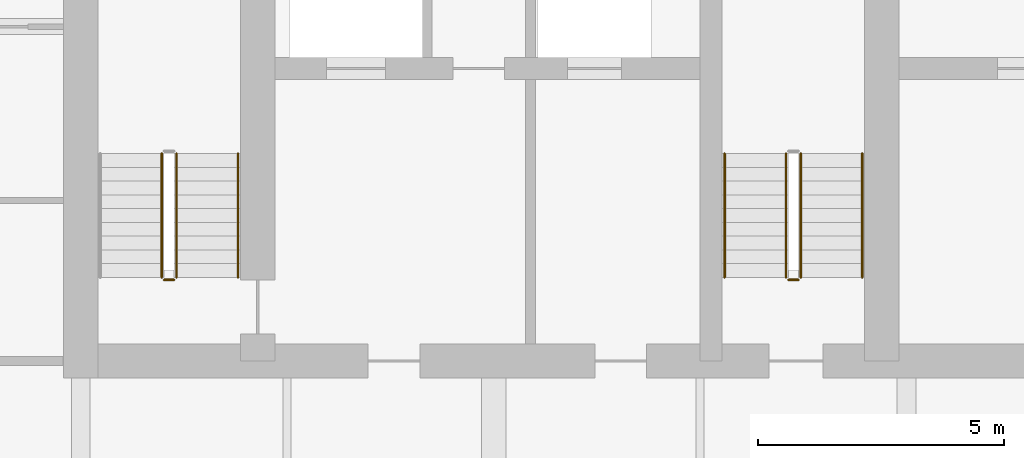
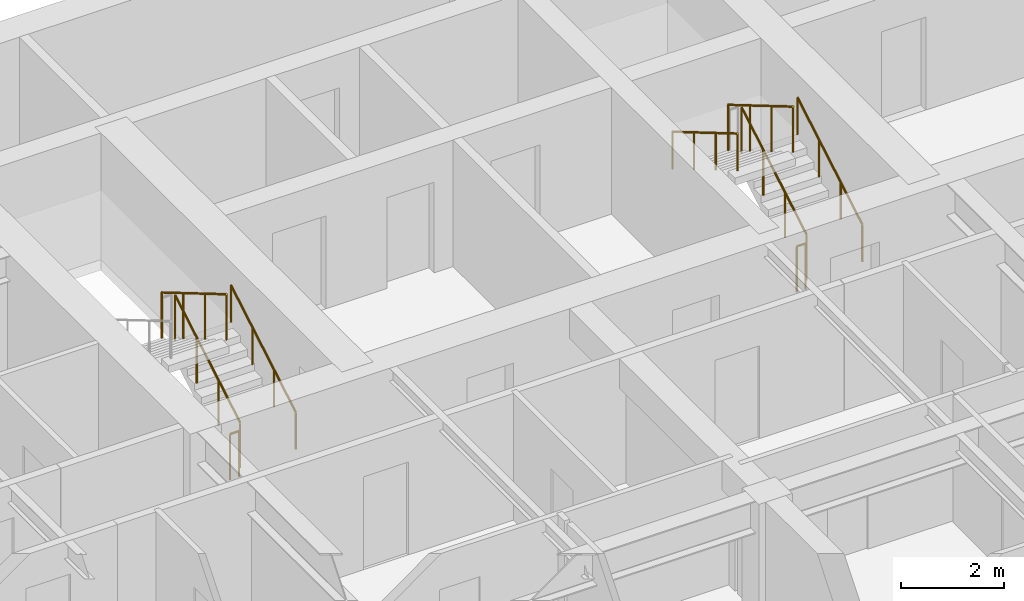
# One storey, part 13 of 16: 9 railings.
"""IFC4 building model written with IfcOpenShell, lengths in metres."""

import ifcopenshell
import ifcopenshell.guid

model = None  # the IFC model being written
_history = None  # IfcOwnerHistory: only IFC2X3 demands one
_inside = {}  # id of a spatial element -> (the spatial element, [elements in it])
_under = {}  # id of a project, library or spatial element -> (it, [spatial elements below it])
_declared = {}  # id of a project -> (the project, [libraries it declares])
_typed = {}  # id of a type object -> (the type object, [elements of that type])
_made_of = {}  # id of a material, layer set ... -> (it, [elements and type objects made of it])


def new_model(schema):
    """Start an empty IFC model of exactly this schema.

    Asked for "IFC4X3", IfcOpenShell would pick the latest addendum, in which some entities
    have other attributes; the version numbers below select the first issue.
    IFC2X3 requires an IfcOwnerHistory on every rooted entity: one is made here for all.
    """
    global model, _history
    if schema == "IFC4X3":
        model = ifcopenshell.file(schema_version=(4, 3, 0, 0))
    else:
        model = ifcopenshell.file(schema=schema)
    _inside.clear()
    _under.clear()
    _declared.clear()
    _typed.clear()
    _made_of.clear()
    _history = None
    if model.schema == "IFC2X3":
        org = make("IfcOrganization", Name="unknown")
        user = make(
            "IfcPersonAndOrganization",
            ThePerson=make("IfcPerson", FamilyName="unknown"),
            TheOrganization=org,
        )
        app = make(
            "IfcApplication",
            ApplicationDeveloper=org,
            Version="unknown",
            ApplicationFullName="unknown",
            ApplicationIdentifier="unknown",
        )
        _history = make(
            "IfcOwnerHistory",
            OwningUser=user,
            OwningApplication=app,
            ChangeAction="ADDED",
            CreationDate=0,
        )
    return model


def make(cls, **values):
    """One entity of the class cls with the attributes given. An attribute that is None is left unset."""
    return model.create_entity(
        cls, **{name: value for name, value in values.items() if value is not None}
    )


def rooted(cls, **values):
    """An entity with a GlobalId (a new one), such as an element, a storey or a relation."""
    return make(cls, GlobalId=ifcopenshell.guid.new(), OwnerHistory=_history, **values)


def si_unit(unit_type, name, prefix=None):
    """IfcSIUnit, for example si_unit("LENGTHUNIT", "METRE", prefix="MILLI")."""
    return make("IfcSIUnit", UnitType=unit_type, Prefix=prefix, Name=name)


def assignment(units):
    """IfcUnitAssignment: the units of a project."""
    return None if units is None else make("IfcUnitAssignment", Units=units)


def point(xyz):
    """IfcCartesianPoint."""
    return None if xyz is None else make("IfcCartesianPoint", Coordinates=xyz)


def direction(xyz):
    """IfcDirection."""
    return None if xyz is None else make("IfcDirection", DirectionRatios=xyz)


def frame(location, z_axis=None, x_axis=None):
    """IfcAxis2Placement3D, a coordinate frame: its origin and axes. An axis left out is left unset."""
    return make(
        "IfcAxis2Placement3D",
        Location=point(location),
        Axis=direction(z_axis),
        RefDirection=direction(x_axis),
    )


def frame_2d(location, x_axis=None):
    """IfcAxis2Placement2D, a coordinate frame in the plane: its origin and x axis."""
    return make(
        "IfcAxis2Placement2D", Location=point(location), RefDirection=direction(x_axis)
    )


def origin():
    """The frame at (0, 0, 0) with its axes left unset."""
    return frame((0.0, 0.0, 0.0))


def origin_2d():
    """The frame at (0, 0) in the plane with its x axis left unset."""
    return frame_2d((0.0, 0.0))


def place(relative_to, where):
    """IfcLocalPlacement: puts the frame where relative to a parent placement (None: the world)."""
    return make(
        "IfcLocalPlacement", PlacementRelTo=relative_to, RelativePlacement=where
    )


def context(
    kind, dimensions, precision=None, world=None, true_north=None, identifier=None
):
    """IfcGeometricRepresentationContext, for example the 3D "Model" context."""
    return make(
        "IfcGeometricRepresentationContext",
        ContextIdentifier=identifier,
        ContextType=kind,
        CoordinateSpaceDimension=dimensions,
        Precision=precision,
        WorldCoordinateSystem=world,
        TrueNorth=true_north,
    )


def subcontext(parent, identifier, kind, view, scale=None):
    """IfcGeometricRepresentationSubContext, for example "Body" below "Model"."""
    return make(
        "IfcGeometricRepresentationSubContext",
        ContextIdentifier=identifier,
        ContextType=kind,
        ParentContext=parent,
        TargetScale=scale,
        TargetView=view,
    )


def project(units=None, contexts=None):
    """IfcProject with its units and contexts."""
    return rooted(
        "IfcProject",
        Name="project",
        RepresentationContexts=contexts,
        UnitsInContext=assignment(units),
    )


def spatial(cls, under=None, at=None, **own):
    """A site, building, storey or space (cls), placed at a placement, below another one or the project."""
    s = rooted(cls, ObjectPlacement=at, **own)
    if under is not None:
        _under.setdefault(under.id(), (under, []))[1].append(s)
    return s


def profile(cls, at=None, kind="AREA", **sizes):
    """A parametric profile (cls). Its sizes go by their IFC names, for example OverallWidth=200.0."""
    return make(cls, ProfileType=kind, Position=at, **sizes)


def circle(**sizes):
    """IfcCircleProfileDef."""
    return profile("IfcCircleProfileDef", **sizes)


def extrude(swept, where, along, depth):
    """IfcExtrudedAreaSolid: the profile swept, set in the frame where, extruded along a direction by depth."""
    return make(
        "IfcExtrudedAreaSolid",
        SweptArea=swept,
        Position=where,
        ExtrudedDirection=direction(along),
        Depth=depth,
    )


def shape(context_of_items, identifier, shape_type, items):
    """IfcShapeRepresentation: the items that make up one representation, for example the "Body"."""
    return make(
        "IfcShapeRepresentation",
        ContextOfItems=context_of_items,
        RepresentationIdentifier=identifier,
        RepresentationType=shape_type,
        Items=items,
    )


def material(Name=None, Category=None):
    """IfcMaterial."""
    return make("IfcMaterial", Name=Name, Category=Category)


def made_of(thing, what):
    """Note that an element or type object is made of a material, layer set ...; save() writes the relation."""
    if what is not None:
        _made_of.setdefault(what.id(), (what, []))[1].append(thing)
    return thing


def type_object(cls, material=None, **own):
    """A type object (cls), such as IfcWallType, which elements share."""
    return made_of(rooted(cls, **own), material)


def element(
    cls,
    number,
    at=None,
    inside=None,
    cuts=None,
    type_object=None,
    material=None,
    context=None,
    identifier="Body",
    shape_type=None,
    held_by="IfcProductDefinitionShape",
    body=None,
    shapes=None,
    **own,
):
    """One element of the class cls, such as IfcWall. Its Tag is "e" and its number.

    at: its placement. inside: the storey or other place that contains it. cuts: it is an
    opening in that element (IfcRelVoidsElement). A single representation is given by context,
    identifier, shape_type and body (its items); several are given by shapes. held_by: the class
    of the entity that holds the representations. save() writes the other relations.
    """
    e = rooted(cls, Tag="e%d" % number, ObjectPlacement=at, **own)
    if body is not None:
        shapes = [shape(context, identifier, shape_type, body)]
    if shapes is not None:
        e.Representation = make(held_by, Representations=shapes)
    if inside is not None:
        _inside.setdefault(inside.id(), (inside, []))[1].append(e)
    if cuts is not None:
        rooted(
            "IfcRelVoidsElement", RelatingBuildingElement=cuts, RelatedOpeningElement=e
        )
    if type_object is not None:
        _typed.setdefault(type_object.id(), (type_object, []))[1].append(e)
    return made_of(e, material)


def aggregate(whole, parts):
    """IfcRelAggregates: a whole, such as a stair, and the parts it consists of."""
    return rooted("IfcRelAggregates", RelatingObject=whole, RelatedObjects=parts)


def save(model, path):
    """Write the relations noted so far, then the file.

    IfcRelAggregates (storeys below a building ...), IfcRelContainedInSpatialStructure (elements
    in a storey), IfcRelDefinesByType, IfcRelAssociatesMaterial and IfcRelDeclares: one each for
    every whole, place, type object, material and project.
    """
    for whole, parts in _under.values():
        aggregate(whole, parts)
    for where, things in _inside.values():
        rooted(
            "IfcRelContainedInSpatialStructure",
            RelatedElements=things,
            RelatingStructure=where,
        )
    for kind, things in _typed.values():
        rooted("IfcRelDefinesByType", RelatedObjects=things, RelatingType=kind)
    for what, things in _made_of.values():
        rooted("IfcRelAssociatesMaterial", RelatedObjects=things, RelatingMaterial=what)
    for by, libraries in _declared.values():
        rooted("IfcRelDeclares", RelatingContext=by, RelatedDefinitions=libraries)
    model.write(path)


model = new_model("IFC4")

# Units and contexts
model_context = context("Model", 3, precision=1e-05, world=origin(), true_north=direction((0.0, 1.0)))
body_context = subcontext(model_context, "Body", "Model", "MODEL_VIEW")
ifc_project = project(units=[si_unit("LENGTHUNIT", "METRE"), si_unit("AREAUNIT", "SQUARE_METRE"), si_unit("VOLUMEUNIT", "CUBIC_METRE"), si_unit("PLANEANGLEUNIT", "RADIAN"), si_unit("MASSUNIT", "GRAM", prefix="KILO")], contexts=[model_context])

# Site, building, storey
site_placement = place(None, origin())
site = spatial("IfcSite", under=ifc_project, at=site_placement, CompositionType="ELEMENT")
building_placement = place(site_placement, origin())
building = spatial("IfcBuilding", under=site, at=building_placement, Name="Caelmar Bay Residences", CompositionType="ELEMENT")
storey_placement = place(building_placement, frame((0.0, 0.0, 266.10009765625)))
storey = spatial("IfcBuildingStorey", under=building, at=storey_placement, Name="L75", CompositionType="ELEMENT", Elevation=266.10009765625)

# Railings
ifc_material_1 = material(Name="Painted galvanized steel stair guard 1100 mm", Category="steel")
railing_type_1 = type_object("IfcRailingType", Name="RL-GRD-1100", PredefinedType="GUARDRAIL", material=ifc_material_1)
railing_1_placement = place(storey_placement, frame((20.25, 38.699951171875, 0.164794921875)))
element("IfcRailing", 1, at=railing_1_placement, inside=storey, type_object=railing_type_1, Name="L75 ST1 stair guard 1", PredefinedType="GUARDRAIL", context=body_context, shape_type="SweptSolid", body=[
    extrude(circle(Radius=0.02392578125, at=origin_2d()), frame((0.0, 0.0, 1.076171875), z_axis=(0.0, 0.86152411907, 0.507716645641), x_axis=(-1.0, 0.0, 0.0)), (0.0, 0.0, 1.0), 2.925048828125),
    extrude(circle(Radius=0.02099609375, at=origin_2d()), origin(), (0.0, 0.0, 1.0), 1.052001953125),
    extrude(circle(Radius=0.02099609375, at=origin_2d()), frame((0.0, 0.840087890625, 0.4951171875)), (0.0, 0.0, 1.0), 1.052001953125),
    extrude(circle(Radius=0.02099609375, at=origin_2d()), frame((0.0, 1.679931640625, 0.989990234375)), (0.0, 0.0, 1.0), 1.052001953125),
    extrude(circle(Radius=0.02099609375, at=origin_2d()), frame((0.0, 2.52001953125, 1.485107421875)), (0.0, 0.0, 1.0), 1.052001953125),
])
railing_2_placement = place(storey_placement, frame((19.949951171875, 41.219970703125, 1.81494140625)))
element("IfcRailing", 2, at=railing_2_placement, inside=storey, type_object=railing_type_1, Name="L75 ST1 stair guard 3", PredefinedType="GUARDRAIL", context=body_context, shape_type="SweptSolid", body=[
    extrude(circle(Radius=0.02392578125, at=origin_2d()), frame((0.0, 0.0, 1.076171875), z_axis=(0.0, -0.861560626758, 0.507654692109), x_axis=(1.0, 0.0, 0.0)), (0.0, 0.0, 1.0), 2.925048828125),
    extrude(circle(Radius=0.02099609375, at=origin_2d()), origin(), (0.0, 0.0, 1.0), 1.052001953125),
    extrude(circle(Radius=0.02099609375, at=origin_2d()), frame((0.0, -0.840087890625, 0.494873046875)), (0.0, 0.0, 1.0), 1.052001953125),
    extrude(circle(Radius=0.02099609375, at=origin_2d()), frame((0.0, -1.679931640625, 0.989990234375)), (0.0, 0.0, 1.0), 1.052001953125),
    extrude(circle(Radius=0.02099609375, at=origin_2d()), frame((0.0, -2.52001953125, 1.48486328125)), (0.0, 0.0, 1.0), 1.052001953125),
])
railing_3_placement = place(storey_placement, frame((20.199951171875, 38.64990234375, 0.0)))
element("IfcRailing", 3, at=railing_3_placement, inside=storey, type_object=railing_type_1, Name="L75 ST1 stair guard 4", PredefinedType="GUARDRAIL", context=body_context, shape_type="SweptSolid", body=[
    extrude(circle(Radius=0.02392578125, at=origin_2d()), frame((0.0, 0.0, 1.076171875), z_axis=(-1.0, 0.0, 0.0), x_axis=(0.0, -1.0, 0.0)), (0.0, 0.0, 1.0), 0.199951171875),
    extrude(circle(Radius=0.02099609375, at=origin_2d()), origin(), (0.0, 0.0, 1.0), 1.052001953125),
    extrude(circle(Radius=0.02099609375, at=origin_2d()), frame((-0.199951171875, 0.0, 0.0)), (0.0, 0.0, 1.0), 1.052001953125),
])
railing_4_placement = place(storey_placement, frame((32.949951171875, 38.699951171875, 0.164794921875)))
element("IfcRailing", 4, at=railing_4_placement, inside=storey, type_object=railing_type_1, Name="L75 ST3 stair guard 1", PredefinedType="GUARDRAIL", context=body_context, shape_type="SweptSolid", body=[
    extrude(circle(Radius=0.02392578125, at=origin_2d()), frame((0.0, 0.0, 1.076171875), z_axis=(0.0, 0.86152411907, 0.507716645641), x_axis=(-1.0, 0.0, 0.0)), (0.0, 0.0, 1.0), 2.925048828125),
    extrude(circle(Radius=0.02099609375, at=origin_2d()), origin(), (0.0, 0.0, 1.0), 1.052001953125),
    extrude(circle(Radius=0.02099609375, at=origin_2d()), frame((0.0, 0.840087890625, 0.4951171875)), (0.0, 0.0, 1.0), 1.052001953125),
    extrude(circle(Radius=0.02099609375, at=origin_2d()), frame((0.0, 1.679931640625, 0.989990234375)), (0.0, 0.0, 1.0), 1.052001953125),
    extrude(circle(Radius=0.02099609375, at=origin_2d()), frame((0.0, 2.52001953125, 1.485107421875)), (0.0, 0.0, 1.0), 1.052001953125),
])
railing_5_placement = place(storey_placement, frame((32.64990234375, 41.219970703125, 1.81494140625)))
element("IfcRailing", 5, at=railing_5_placement, inside=storey, type_object=railing_type_1, Name="L75 ST3 stair guard 3", PredefinedType="GUARDRAIL", context=body_context, shape_type="SweptSolid", body=[
    extrude(circle(Radius=0.02392578125, at=origin_2d()), frame((0.0, 0.0, 1.076171875), z_axis=(0.0, -0.861560626758, 0.507654692109), x_axis=(1.0, 0.0, 0.0)), (0.0, 0.0, 1.0), 2.925048828125),
    extrude(circle(Radius=0.02099609375, at=origin_2d()), origin(), (0.0, 0.0, 1.0), 1.052001953125),
    extrude(circle(Radius=0.02099609375, at=origin_2d()), frame((0.0, -0.840087890625, 0.494873046875)), (0.0, 0.0, 1.0), 1.052001953125),
    extrude(circle(Radius=0.02099609375, at=origin_2d()), frame((0.0, -1.679931640625, 0.989990234375)), (0.0, 0.0, 1.0), 1.052001953125),
    extrude(circle(Radius=0.02099609375, at=origin_2d()), frame((0.0, -2.52001953125, 1.48486328125)), (0.0, 0.0, 1.0), 1.052001953125),
])
railing_6_placement = place(storey_placement, frame((32.89990234375, 38.64990234375, 0.0)))
element("IfcRailing", 6, at=railing_6_placement, inside=storey, type_object=railing_type_1, Name="L75 ST3 stair guard 4", PredefinedType="GUARDRAIL", context=body_context, shape_type="SweptSolid", body=[
    extrude(circle(Radius=0.02392578125, at=origin_2d()), frame((0.0, 0.0, 1.076171875), z_axis=(-1.0, 0.0, 0.0), x_axis=(0.0, -1.0, 0.0)), (0.0, 0.0, 1.0), 0.199951171875),
    extrude(circle(Radius=0.02099609375, at=origin_2d()), origin(), (0.0, 0.0, 1.0), 1.052001953125),
    extrude(circle(Radius=0.02099609375, at=origin_2d()), frame((-0.199951171875, 0.0, 0.0)), (0.0, 0.0, 1.0), 1.052001953125),
])
ifc_material_2 = material(Name="Brushed bronze stainless-steel tubular handrail 900 mm", Category="steel")
railing_type_2 = type_object("IfcRailingType", Name="RL-HND-900", PredefinedType="HANDRAIL", material=ifc_material_2)
for number, where, name in (
    (7, (21.5, 38.699951171875, 0.164794921875), "L75 ST1 stair handrail 1"),
    (8, (34.199951171875, 38.699951171875, 0.164794921875), "L75 ST3 stair handrail 1"),
):
    element("IfcRailing", number, at=place(storey_placement, frame(where)), inside=storey, type_object=railing_type_2, Name=name, PredefinedType="HANDRAIL", context=body_context, shape_type="SweptSolid", body=[
        extrude(circle(Radius=0.02392578125, at=origin_2d()), frame((0.0, 0.0, 0.8759765625), z_axis=(0.0, 0.86152411907, 0.507716645641), x_axis=(-1.0, 0.0, 0.0)), (0.0, 0.0, 1.0), 2.925048828125),
        extrude(circle(Radius=0.02099609375, at=origin_2d()), origin(), (0.0, 0.0, 1.0), 0.851806640625),
        extrude(circle(Radius=0.02099609375, at=origin_2d()), frame((0.0, 0.840087890625, 0.4951171875)), (0.0, 0.0, 1.0), 0.851806640625),
        extrude(circle(Radius=0.02099609375, at=origin_2d()), frame((0.0, 1.679931640625, 0.989990234375)), (0.0, 0.0, 1.0), 0.851806640625),
        extrude(circle(Radius=0.02099609375, at=origin_2d()), frame((0.0, 2.52001953125, 1.485107421875)), (0.0, 0.0, 1.0), 0.851806640625),
    ])
railing_7_placement = place(storey_placement, frame((31.39990234375, 41.219970703125, 1.81494140625)))
element("IfcRailing", 9, at=railing_7_placement, inside=storey, type_object=railing_type_2, Name="L75 ST3 stair handrail 2", PredefinedType="HANDRAIL", context=body_context, shape_type="SweptSolid", body=[
    extrude(circle(Radius=0.02392578125, at=origin_2d()), frame((0.0, 0.0, 0.8759765625), z_axis=(0.0, -0.861560626758, 0.507654692109), x_axis=(1.0, 0.0, 0.0)), (0.0, 0.0, 1.0), 2.925048828125),
    extrude(circle(Radius=0.02099609375, at=origin_2d()), origin(), (0.0, 0.0, 1.0), 0.851806640625),
    extrude(circle(Radius=0.02099609375, at=origin_2d()), frame((0.0, -0.840087890625, 0.494873046875)), (0.0, 0.0, 1.0), 0.851806640625),
    extrude(circle(Radius=0.02099609375, at=origin_2d()), frame((0.0, -1.679931640625, 0.989990234375)), (0.0, 0.0, 1.0), 0.851806640625),
    extrude(circle(Radius=0.02099609375, at=origin_2d()), frame((0.0, -2.52001953125, 1.48486328125)), (0.0, 0.0, 1.0), 0.851806640625),
])

save(model, "model.ifc")
